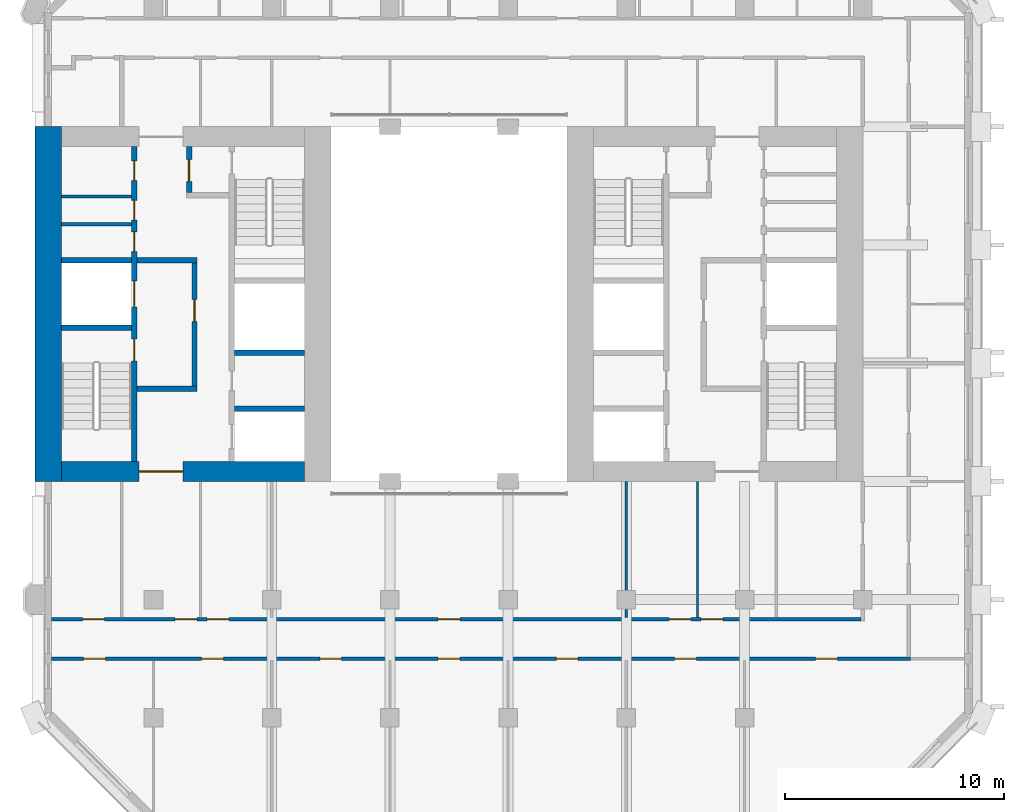
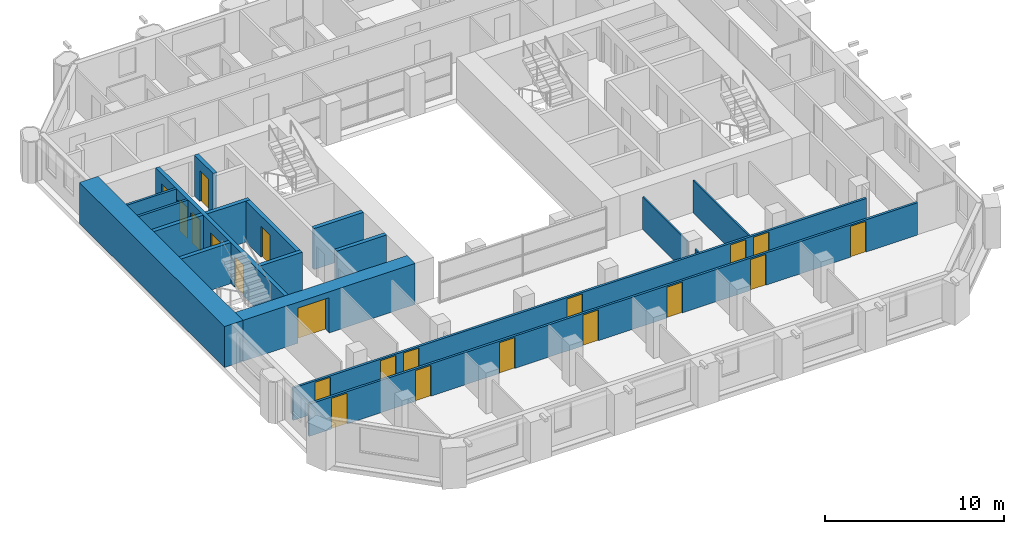
# One storey, part 6 of 12: 21 doors, 18 walls, 21 openings.
"""IFC4 building model written with IfcOpenShell, lengths in metres."""

from ifc_helpers import new_model, si_unit, direction, frame, frame_2d, origin, place, context, subcontext, project, spatial, rectangle, extrude, material, layer, layer_set, type_object, element, fill, save


model = new_model("IFC4")

# Units and contexts
model_context = context("Model", 3, precision=1e-05, world=origin(), true_north=direction((0.0, 1.0)))
body_context = subcontext(model_context, "Body", "Model", "MODEL_VIEW")
ifc_project = project(units=[si_unit("LENGTHUNIT", "METRE"), si_unit("AREAUNIT", "SQUARE_METRE"), si_unit("VOLUMEUNIT", "CUBIC_METRE"), si_unit("PLANEANGLEUNIT", "RADIAN"), si_unit("MASSUNIT", "GRAM", prefix="KILO")], contexts=[model_context])

# Site, building, storey
site_placement = place(None, origin())
site = spatial("IfcSite", under=ifc_project, at=site_placement, CompositionType="ELEMENT")
building_placement = place(site_placement, origin())
building = spatial("IfcBuilding", under=site, at=building_placement, Name="Tabaq Tower and Sports Hall", CompositionType="ELEMENT")
storey_placement = place(building_placement, frame((0.0, 0.0, 172.60009765625)))
storey = spatial("IfcBuildingStorey", under=building, at=storey_placement, Name="L41", CompositionType="ELEMENT", Elevation=172.60009765625)

# Walls
ifc_material_1 = material(Name="Blockwork", Category="masonry")
ifc_layer_1 = layer(ifc_material_1, 0.14990234375)
ifc_layer_set_1 = layer_set([ifc_layer_1], Name="Core room partition 150 Blockwork")
wall_type_1 = type_object("IfcWallType", Name="Core room partition 150 Blockwork", PredefinedType="PARTITIONING", material=ifc_layer_set_1)
for number, where, z_axis, x_axis, name in (
    (1, (6.60009765625, 27.947998046875, 0.0), (0.0, 0.0, 1.0), (1.0, 0.0, 0.0), "Core room partition W L41"),
    (2, (6.60009765625, 29.217041015625, 0.0), (0.0, 0.0, 1.0), (1.0, 0.0, 0.0), "Core room partition W L41"),
):
    element("IfcWall", number, at=place(storey_placement, frame(where, z_axis=z_axis, x_axis=x_axis)), inside=storey, type_object=wall_type_1, Name=name, PredefinedType="PARTITIONING", context=body_context, shape_type="SweptSolid", body=[
        extrude(rectangle(XDim=3.199951171875, YDim=0.14990234375, at=frame_2d((1.60009765625, 0.0))), origin(), (0.0, 0.0, 1.0), 2.7998046875),
    ])
ifc_material_2 = material(Name="Concrete C50/60", Category="concrete")
ifc_layer_2 = layer(ifc_material_2, 1.199951171875)
ifc_layer_set_2 = layer_set([ifc_layer_2], Name="Core wall 1200 Concrete C50/60")
wall_type_2 = type_object("IfcWallType", Name="Core wall 1200 Concrete C50/60", PredefinedType="SOLIDWALL", material=ifc_layer_set_2)
wall_1_placement = place(storey_placement, frame((6.0, 16.199951171875, 0.0), z_axis=(0.0, 0.0, 1.0), x_axis=(0.0, 1.0, 0.0)))
element("IfcWall", 3, at=wall_1_placement, inside=storey, type_object=wall_type_2, Name="Core wall W L41", PredefinedType="SOLIDWALL", context=body_context, shape_type="SweptSolid", body=[
    extrude(rectangle(XDim=16.199951171875, YDim=1.199951171875, at=frame_2d((8.10009765625, 0.0))), origin(), (0.0, 0.0, 1.0), 2.7998046875),
])

# Wall, opening, door
ifc_material_3 = material(Name="Concrete C50/60", Category="concrete")
ifc_layer_3 = layer(ifc_material_3, 0.89990234375)
ifc_layer_set_3 = layer_set([ifc_layer_3], Name="Core wall 900 Concrete C50/60")
wall_type_3 = type_object("IfcWallType", Name="Core wall 900 Concrete C50/60", PredefinedType="SOLIDWALL", material=ifc_layer_set_3)
wall_2_placement = place(storey_placement, frame((17.699951171875, 16.64990234375, 0.0), z_axis=(0.0, 0.0, 1.0), x_axis=(-1.0, 0.0, 0.0)))
wall_2 = element("IfcWall", 4, at=wall_2_placement, inside=storey, type_object=wall_type_3, Name="Core wall W L41", PredefinedType="SOLIDWALL", context=body_context, shape_type="SweptSolid", body=[
    extrude(rectangle(XDim=11.099853515625, YDim=0.89990234375, at=frame_2d((5.5498046875, 0.0))), origin(), (0.0, 0.0, 1.0), 2.7998046875),
])
opening_1_placement = place(wall_2_placement, frame((5.550048828125, 0.0, 0.0)))
opening_1 = element("IfcOpeningElement", 5, at=opening_1_placement, cuts=wall_2, Name="Opening PD-WL41-01", PredefinedType="OPENING", context=body_context, shape_type="SweptSolid", body=[
    extrude(rectangle(XDim=2.0, YDim=2.39990234375, at=frame_2d((1.0, 1.199951171875))), frame((0.0, 0.449951171875, 0.0), z_axis=(0.0, -1.0, 0.0), x_axis=(1.0, 0.0, 0.0)), (0.0, 0.0, 1.0), 0.89990234375),
])
ifc_material_4 = material(Name="Steel fire door", Category="steel")
door_type_1 = type_object("IfcDoorType", Name="Core entrance door 2000", OperationType="DOUBLE_DOOR_SINGLE_SWING", PredefinedType="DOOR", material=ifc_material_4)
door_1_placement = place(opening_1_placement, origin())
door_1 = element("IfcDoor", 6, at=door_1_placement, inside=storey, type_object=door_type_1, Name="Core entrance south W L41", OperationType="DOUBLE_DOOR_SINGLE_SWING", OverallHeight=2.39990234375, OverallWidth=2.0, PredefinedType="DOOR", context=body_context, shape_type="SweptSolid", body=[
    extrude(rectangle(XDim=2.0, YDim=2.39990234375, at=frame_2d((1.0, 1.199951171875))), frame((0.0, 0.02490234375, 0.0), z_axis=(0.0, -1.0, 0.0), x_axis=(1.0, 0.0, 0.0)), (0.0, 0.0, 1.0), 0.050048828125),
])
fill(opening_1, door_1)

# Walls
ifc_material_5 = material(Name="Gypsum board on steel studs", Category="steel")
ifc_layer_4 = layer(ifc_material_5, 0.10009765625)
ifc_layer_set_4 = layer_set([ifc_layer_4], Name="Partition 100 Gypsum board")
wall_type_4 = type_object("IfcWallType", Name="Partition 100 Gypsum board", PredefinedType="PARTITIONING", material=ifc_layer_set_4)
wall_3_placement = place(storey_placement, frame((32.39990234375, 9.97509765625, 0.0), z_axis=(0.0, 0.0, 1.0), x_axis=(0.0, 1.0, 0.0)))
element("IfcWall", 7, at=wall_3_placement, inside=storey, type_object=wall_type_4, Name="Partition wall L41", PredefinedType="PARTITIONING", context=body_context, shape_type="SweptSolid", body=[
    extrude(rectangle(XDim=0.3798828125, YDim=0.10009765625, at=frame_2d((0.18994140625, 0.0))), origin(), (0.0, 0.0, 1.0), 2.199951171875),
])
wall_4_placement = place(storey_placement, frame((32.39990234375, 11.2451171875, 0.0), z_axis=(0.0, 0.0, 1.0), x_axis=(0.0, 1.0, 0.0)))
element("IfcWall", 8, at=wall_4_placement, inside=storey, type_object=wall_type_4, Name="Partition wall L41", PredefinedType="PARTITIONING", context=body_context, shape_type="SweptSolid", body=[
    extrude(rectangle(XDim=4.954833984375, YDim=0.10009765625, at=frame_2d((2.4775390625, 0.0))), origin(), (0.0, 0.0, 1.0), 2.199951171875),
])
wall_5_placement = place(storey_placement, frame((35.64990234375, 16.199951171875, 0.0), z_axis=(0.0, 0.0, 1.0), x_axis=(0.0, -1.0, 0.0)))
element("IfcWall", 9, at=wall_5_placement, inside=storey, type_object=wall_type_4, Name="Partition wall L41", PredefinedType="PARTITIONING", context=body_context, shape_type="SweptSolid", body=[
    extrude(rectangle(XDim=6.224853515625, YDim=0.10009765625, at=frame_2d((3.1123046875, 0.0))), origin(), (0.0, 0.0, 1.0), 2.199951171875),
])

# Wall, openings, doors
ifc_material_6 = material(Name="Blockwork", Category="masonry")
ifc_layer_5 = layer(ifc_material_6, 0.14990234375)
ifc_layer_set_5 = layer_set([ifc_layer_5], Name="Separating wall 150 Blockwork")
wall_type_5 = type_object("IfcWallType", Name="Separating wall 150 Blockwork", PredefinedType="PARTITIONING", material=ifc_layer_set_5)
wall_6_placement = place(storey_placement, frame((45.375, 8.10009765625, 0.0), z_axis=(0.0, 0.0, 1.0), x_axis=(-1.0, 0.0, 0.0)))
wall_6 = element("IfcWall", 10, at=wall_6_placement, inside=storey, type_object=wall_type_5, Name="Separating wall L41", PredefinedType="PARTITIONING", context=body_context, shape_type="SweptSolid", body=[
    extrude(rectangle(XDim=39.22412109375, YDim=0.14990234375, at=frame_2d((19.612060546875, 0.0))), origin(), (0.0, 0.0, 1.0), 2.199951171875),
])
opening_2_placement = place(wall_6_placement, frame((36.77490234375, 0.0, 0.0)))
opening_2 = element("IfcOpeningElement", 11, at=opening_2_placement, cuts=wall_6, Name="Opening L41-015", PredefinedType="OPENING", context=body_context, shape_type="SweptSolid", body=[
    extrude(rectangle(XDim=1.0, YDim=2.10009765625, at=frame_2d((0.5, 1.050048828125))), frame((0.0, 0.074951171875, 0.0), z_axis=(0.0, -1.0, 0.0), x_axis=(1.0, 0.0, 0.0)), (0.0, 0.0, 1.0), 0.14990234375),
])
opening_3_placement = place(wall_6_placement, frame((31.375, 0.0, 0.0)))
opening_3 = element("IfcOpeningElement", 12, at=opening_3_placement, cuts=wall_6, Name="Opening L41-016", PredefinedType="OPENING", context=body_context, shape_type="SweptSolid", body=[
    extrude(rectangle(XDim=1.0, YDim=2.10009765625, at=frame_2d((0.5, 1.050048828125))), frame((0.0, 0.074951171875, 0.0), z_axis=(0.0, -1.0, 0.0), x_axis=(1.0, 0.0, 0.0)), (0.0, 0.0, 1.0), 0.14990234375),
])
opening_4_placement = place(wall_6_placement, frame((25.97509765625, 0.0, 0.0)))
opening_4 = element("IfcOpeningElement", 13, at=opening_4_placement, cuts=wall_6, Name="Opening L41-017", PredefinedType="OPENING", context=body_context, shape_type="SweptSolid", body=[
    extrude(rectangle(XDim=1.0, YDim=2.10009765625, at=frame_2d((0.5, 1.050048828125))), frame((0.0, 0.074951171875, 0.0), z_axis=(0.0, -1.0, 0.0), x_axis=(1.0, 0.0, 0.0)), (0.0, 0.0, 1.0), 0.14990234375),
])
opening_5_placement = place(wall_6_placement, frame((20.574951171875, 0.0, 0.0)))
opening_5 = element("IfcOpeningElement", 14, at=opening_5_placement, cuts=wall_6, Name="Opening L41-018", PredefinedType="OPENING", context=body_context, shape_type="SweptSolid", body=[
    extrude(rectangle(XDim=1.0, YDim=2.10009765625, at=frame_2d((0.5, 1.050048828125))), frame((0.0, 0.074951171875, 0.0), z_axis=(0.0, -1.0, 0.0), x_axis=(1.0, 0.0, 0.0)), (0.0, 0.0, 1.0), 0.14990234375),
])
opening_6_placement = place(wall_6_placement, frame((15.175048828125, 0.0, 0.0)))
opening_6 = element("IfcOpeningElement", 15, at=opening_6_placement, cuts=wall_6, Name="Opening L41-019", PredefinedType="OPENING", context=body_context, shape_type="SweptSolid", body=[
    extrude(rectangle(XDim=1.0, YDim=2.10009765625, at=frame_2d((0.5, 1.050048828125))), frame((0.0, 0.074951171875, 0.0), z_axis=(0.0, -1.0, 0.0), x_axis=(1.0, 0.0, 0.0)), (0.0, 0.0, 1.0), 0.14990234375),
])
opening_7_placement = place(wall_6_placement, frame((9.77490234375, 0.0, 0.0)))
opening_7 = element("IfcOpeningElement", 16, at=opening_7_placement, cuts=wall_6, Name="Opening L41-020", PredefinedType="OPENING", context=body_context, shape_type="SweptSolid", body=[
    extrude(rectangle(XDim=1.0, YDim=2.10009765625, at=frame_2d((0.5, 1.050048828125))), frame((0.0, 0.074951171875, 0.0), z_axis=(0.0, -1.0, 0.0), x_axis=(1.0, 0.0, 0.0)), (0.0, 0.0, 1.0), 0.14990234375),
])
opening_8_placement = place(wall_6_placement, frame((3.324951171875, 0.0, 0.0)))
opening_8 = element("IfcOpeningElement", 17, at=opening_8_placement, cuts=wall_6, Name="Opening L41-021", PredefinedType="OPENING", context=body_context, shape_type="SweptSolid", body=[
    extrude(rectangle(XDim=1.0, YDim=2.10009765625, at=frame_2d((0.5, 1.050048828125))), frame((0.0, 0.074951171875, 0.0), z_axis=(0.0, -1.0, 0.0), x_axis=(1.0, 0.0, 0.0)), (0.0, 0.0, 1.0), 0.14990234375),
])
ifc_material_7 = material(Name="Timber leaf in steel frame", Category="steel")
door_type_2 = type_object("IfcDoorType", Name="Internal door 1000 left hand", OperationType="SINGLE_SWING_LEFT", PredefinedType="DOOR", material=ifc_material_7)
door_2_placement = place(opening_3_placement, origin())
door_2 = element("IfcDoor", 18, at=door_2_placement, inside=storey, type_object=door_type_2, Name="Internal door L41-016", OperationType="SINGLE_SWING_LEFT", OverallHeight=2.10009765625, OverallWidth=1.0, PredefinedType="DOOR", context=body_context, shape_type="SweptSolid", body=[
    extrude(rectangle(XDim=1.0, YDim=2.10009765625, at=frame_2d((0.5, 1.050048828125))), frame((0.0, 0.02490234375, 0.0), z_axis=(0.0, -1.0, 0.0), x_axis=(1.0, 0.0, 0.0)), (0.0, 0.0, 1.0), 0.050048828125),
])
fill(opening_3, door_2)
door_3_placement = place(opening_4_placement, origin())
door_3 = element("IfcDoor", 19, at=door_3_placement, inside=storey, type_object=door_type_2, Name="Internal door L41-017", OperationType="SINGLE_SWING_LEFT", OverallHeight=2.10009765625, OverallWidth=1.0, PredefinedType="DOOR", context=body_context, shape_type="SweptSolid", body=[
    extrude(rectangle(XDim=1.0, YDim=2.10009765625, at=frame_2d((0.5, 1.050048828125))), frame((0.0, 0.02490234375, 0.0), z_axis=(0.0, -1.0, 0.0), x_axis=(1.0, 0.0, 0.0)), (0.0, 0.0, 1.0), 0.050048828125),
])
fill(opening_4, door_3)
door_4_placement = place(opening_7_placement, origin())
door_4 = element("IfcDoor", 20, at=door_4_placement, inside=storey, type_object=door_type_2, Name="Internal door L41-020", OperationType="SINGLE_SWING_LEFT", OverallHeight=2.10009765625, OverallWidth=1.0, PredefinedType="DOOR", context=body_context, shape_type="SweptSolid", body=[
    extrude(rectangle(XDim=1.0, YDim=2.10009765625, at=frame_2d((0.5, 1.050048828125))), frame((0.0, 0.02490234375, 0.0), z_axis=(0.0, -1.0, 0.0), x_axis=(1.0, 0.0, 0.0)), (0.0, 0.0, 1.0), 0.050048828125),
])
fill(opening_7, door_4)
door_5_placement = place(opening_8_placement, origin())
door_5 = element("IfcDoor", 21, at=door_5_placement, inside=storey, type_object=door_type_2, Name="Internal door L41-021", OperationType="SINGLE_SWING_LEFT", OverallHeight=2.10009765625, OverallWidth=1.0, PredefinedType="DOOR", context=body_context, shape_type="SweptSolid", body=[
    extrude(rectangle(XDim=1.0, YDim=2.10009765625, at=frame_2d((0.5, 1.050048828125))), frame((0.0, 0.02490234375, 0.0), z_axis=(0.0, -1.0, 0.0), x_axis=(1.0, 0.0, 0.0)), (0.0, 0.0, 1.0), 0.050048828125),
])
fill(opening_8, door_5)
ifc_material_8 = material(Name="Timber leaf in steel frame", Category="steel")
door_type_3 = type_object("IfcDoorType", Name="Internal door 1000 right hand", OperationType="SINGLE_SWING_RIGHT", PredefinedType="DOOR", material=ifc_material_8)
door_6_placement = place(opening_2_placement, origin())
door_6 = element("IfcDoor", 22, at=door_6_placement, inside=storey, type_object=door_type_3, Name="Internal door L41-015", OperationType="SINGLE_SWING_RIGHT", OverallHeight=2.10009765625, OverallWidth=1.0, PredefinedType="DOOR", context=body_context, shape_type="SweptSolid", body=[
    extrude(rectangle(XDim=1.0, YDim=2.10009765625, at=frame_2d((0.5, 1.050048828125))), frame((0.0, 0.02490234375, 0.0), z_axis=(0.0, -1.0, 0.0), x_axis=(1.0, 0.0, 0.0)), (0.0, 0.0, 1.0), 0.050048828125),
])
fill(opening_2, door_6)
door_7_placement = place(opening_5_placement, origin())
door_7 = element("IfcDoor", 23, at=door_7_placement, inside=storey, type_object=door_type_3, Name="Internal door L41-018", OperationType="SINGLE_SWING_RIGHT", OverallHeight=2.10009765625, OverallWidth=1.0, PredefinedType="DOOR", context=body_context, shape_type="SweptSolid", body=[
    extrude(rectangle(XDim=1.0, YDim=2.10009765625, at=frame_2d((0.5, 1.050048828125))), frame((0.0, 0.02490234375, 0.0), z_axis=(0.0, -1.0, 0.0), x_axis=(1.0, 0.0, 0.0)), (0.0, 0.0, 1.0), 0.050048828125),
])
fill(opening_5, door_7)
door_8_placement = place(opening_6_placement, origin())
door_8 = element("IfcDoor", 24, at=door_8_placement, inside=storey, type_object=door_type_3, Name="Internal door L41-019", OperationType="SINGLE_SWING_RIGHT", OverallHeight=2.10009765625, OverallWidth=1.0, PredefinedType="DOOR", context=body_context, shape_type="SweptSolid", body=[
    extrude(rectangle(XDim=1.0, YDim=2.10009765625, at=frame_2d((0.5, 1.050048828125))), frame((0.0, 0.02490234375, 0.0), z_axis=(0.0, -1.0, 0.0), x_axis=(1.0, 0.0, 0.0)), (0.0, 0.0, 1.0), 0.050048828125),
])
fill(opening_6, door_8)

wall_7_placement = place(storey_placement, frame((6.15087890625, 9.89990234375, 0.0), z_axis=(0.0, 0.0, 1.0), x_axis=(1.0, 0.0, 0.0)))
wall_7 = element("IfcWall", 25, at=wall_7_placement, inside=storey, type_object=wall_type_5, Name="Separating wall L41", PredefinedType="PARTITIONING", context=body_context, shape_type="SweptSolid", body=[
    extrude(rectangle(XDim=36.97412109375, YDim=0.14990234375, at=frame_2d((18.487060546875, 0.0))), origin(), (0.0, 0.0, 1.0), 2.199951171875),
])
opening_9_placement = place(wall_7_placement, frame((17.64892578125, 0.0, 0.0)))
opening_9 = element("IfcOpeningElement", 26, at=opening_9_placement, cuts=wall_7, Name="Opening L41-022", PredefinedType="OPENING", context=body_context, shape_type="SweptSolid", body=[
    extrude(rectangle(XDim=1.0, YDim=2.10009765625, at=frame_2d((0.5, 1.050048828125))), frame((0.0, 0.074951171875, 0.0), z_axis=(0.0, -1.0, 0.0), x_axis=(1.0, 0.0, 0.0)), (0.0, 0.0, 1.0), 0.14990234375),
])
opening_10_placement = place(wall_7_placement, frame((1.408935546875, 0.0, 0.0)))
opening_10 = element("IfcOpeningElement", 27, at=opening_10_placement, cuts=wall_7, Name="Opening L41-024", PredefinedType="OPENING", context=body_context, shape_type="SweptSolid", body=[
    extrude(rectangle(XDim=1.0, YDim=2.10009765625, at=frame_2d((0.5, 1.050048828125))), frame((0.0, 0.074951171875, 0.0), z_axis=(0.0, -1.0, 0.0), x_axis=(1.0, 0.0, 0.0)), (0.0, 0.0, 1.0), 0.14990234375),
])
opening_11_placement = place(wall_7_placement, frame((28.198974609375, 0.0, 0.0)))
opening_11 = element("IfcOpeningElement", 28, at=opening_11_placement, cuts=wall_7, Name="Opening L41-025", PredefinedType="OPENING", context=body_context, shape_type="SweptSolid", body=[
    extrude(rectangle(XDim=1.0, YDim=2.10009765625, at=frame_2d((0.5, 1.050048828125))), frame((0.0, 0.074951171875, 0.0), z_axis=(0.0, -1.0, 0.0), x_axis=(1.0, 0.0, 0.0)), (0.0, 0.0, 1.0), 0.14990234375),
])
opening_12_placement = place(wall_7_placement, frame((7.09912109375, 0.0, 0.0)))
opening_12 = element("IfcOpeningElement", 29, at=opening_12_placement, cuts=wall_7, Name="Opening L41-027", PredefinedType="OPENING", context=body_context, shape_type="SweptSolid", body=[
    extrude(rectangle(XDim=1.0, YDim=2.10009765625, at=frame_2d((0.5, 1.050048828125))), frame((0.0, 0.074951171875, 0.0), z_axis=(0.0, -1.0, 0.0), x_axis=(1.0, 0.0, 0.0)), (0.0, 0.0, 1.0), 0.14990234375),
])
opening_13_placement = place(wall_7_placement, frame((5.62890625, 0.0, 0.0)))
opening_13 = element("IfcOpeningElement", 30, at=opening_13_placement, cuts=wall_7, Name="Opening L41-039", PredefinedType="OPENING", context=body_context, shape_type="SweptSolid", body=[
    extrude(rectangle(XDim=1.0, YDim=2.10009765625, at=frame_2d((0.5, 1.050048828125))), frame((0.0, 0.074951171875, 0.0), z_axis=(0.0, -1.0, 0.0), x_axis=(1.0, 0.0, 0.0)), (0.0, 0.0, 1.0), 0.14990234375),
])
opening_14_placement = place(wall_7_placement, frame((29.6689453125, 0.0, 0.0)))
opening_14 = element("IfcOpeningElement", 31, at=opening_14_placement, cuts=wall_7, Name="Opening L41-040", PredefinedType="OPENING", context=body_context, shape_type="SweptSolid", body=[
    extrude(rectangle(XDim=1.0, YDim=2.10009765625, at=frame_2d((0.5, 1.050048828125))), frame((0.0, 0.074951171875, 0.0), z_axis=(0.0, -1.0, 0.0), x_axis=(1.0, 0.0, 0.0)), (0.0, 0.0, 1.0), 0.14990234375),
])
door_9_placement = place(opening_10_placement, origin())
door_9 = element("IfcDoor", 32, at=door_9_placement, inside=storey, type_object=door_type_2, Name="Internal door L41-024", OperationType="SINGLE_SWING_LEFT", OverallHeight=2.10009765625, OverallWidth=1.0, PredefinedType="DOOR", context=body_context, shape_type="SweptSolid", body=[
    extrude(rectangle(XDim=1.0, YDim=2.10009765625, at=frame_2d((0.5, 1.050048828125))), frame((0.0, 0.02490234375, 0.0), z_axis=(0.0, -1.0, 0.0), x_axis=(1.0, 0.0, 0.0)), (0.0, 0.0, 1.0), 0.050048828125),
])
fill(opening_10, door_9)
door_10_placement = place(opening_11_placement, origin())
door_10 = element("IfcDoor", 33, at=door_10_placement, inside=storey, type_object=door_type_2, Name="Internal door L41-025", OperationType="SINGLE_SWING_LEFT", OverallHeight=2.10009765625, OverallWidth=1.0, PredefinedType="DOOR", context=body_context, shape_type="SweptSolid", body=[
    extrude(rectangle(XDim=1.0, YDim=2.10009765625, at=frame_2d((0.5, 1.050048828125))), frame((0.0, 0.02490234375, 0.0), z_axis=(0.0, -1.0, 0.0), x_axis=(1.0, 0.0, 0.0)), (0.0, 0.0, 1.0), 0.050048828125),
])
fill(opening_11, door_10)
door_11_placement = place(opening_13_placement, origin())
door_11 = element("IfcDoor", 34, at=door_11_placement, inside=storey, type_object=door_type_2, Name="Internal door L41-039", OperationType="SINGLE_SWING_LEFT", OverallHeight=2.10009765625, OverallWidth=1.0, PredefinedType="DOOR", context=body_context, shape_type="SweptSolid", body=[
    extrude(rectangle(XDim=1.0, YDim=2.10009765625, at=frame_2d((0.5, 1.050048828125))), frame((0.0, 0.02490234375, 0.0), z_axis=(0.0, -1.0, 0.0), x_axis=(1.0, 0.0, 0.0)), (0.0, 0.0, 1.0), 0.050048828125),
])
fill(opening_13, door_11)
door_12_placement = place(opening_14_placement, origin())
door_12 = element("IfcDoor", 35, at=door_12_placement, inside=storey, type_object=door_type_2, Name="Internal door L41-040", OperationType="SINGLE_SWING_LEFT", OverallHeight=2.10009765625, OverallWidth=1.0, PredefinedType="DOOR", context=body_context, shape_type="SweptSolid", body=[
    extrude(rectangle(XDim=1.0, YDim=2.10009765625, at=frame_2d((0.5, 1.050048828125))), frame((0.0, 0.02490234375, 0.0), z_axis=(0.0, -1.0, 0.0), x_axis=(1.0, 0.0, 0.0)), (0.0, 0.0, 1.0), 0.050048828125),
])
fill(opening_14, door_12)
door_13_placement = place(opening_9_placement, origin())
door_13 = element("IfcDoor", 36, at=door_13_placement, inside=storey, type_object=door_type_3, Name="Internal door L41-022", OperationType="SINGLE_SWING_RIGHT", OverallHeight=2.10009765625, OverallWidth=1.0, PredefinedType="DOOR", context=body_context, shape_type="SweptSolid", body=[
    extrude(rectangle(XDim=1.0, YDim=2.10009765625, at=frame_2d((0.5, 1.050048828125))), frame((0.0, 0.02490234375, 0.0), z_axis=(0.0, -1.0, 0.0), x_axis=(1.0, 0.0, 0.0)), (0.0, 0.0, 1.0), 0.050048828125),
])
fill(opening_9, door_13)
door_14_placement = place(opening_12_placement, origin())
door_14 = element("IfcDoor", 37, at=door_14_placement, inside=storey, type_object=door_type_3, Name="Internal door L41-027", OperationType="SINGLE_SWING_RIGHT", OverallHeight=2.10009765625, OverallWidth=1.0, PredefinedType="DOOR", context=body_context, shape_type="SweptSolid", body=[
    extrude(rectangle(XDim=1.0, YDim=2.10009765625, at=frame_2d((0.5, 1.050048828125))), frame((0.0, 0.02490234375, 0.0), z_axis=(0.0, -1.0, 0.0), x_axis=(1.0, 0.0, 0.0)), (0.0, 0.0, 1.0), 0.050048828125),
])
fill(opening_12, door_14)

ifc_material_9 = material(Name="Concrete C40/50", Category="concrete")
ifc_layer_6 = layer(ifc_material_9, 0.25)
ifc_layer_set_6 = layer_set([ifc_layer_6], Name="Shaft and stair wall 250 Concrete C40/50")
wall_type_6 = type_object("IfcWallType", Name="Shaft and stair wall 250 Concrete C40/50", PredefinedType="SOLIDWALL", material=ifc_layer_set_6)
wall_8_placement = place(storey_placement, frame((9.925048828125, 17.10009765625, 0.0), z_axis=(0.0, 0.0, 1.0), x_axis=(0.0, 1.0, 0.0)))
wall_8 = element("IfcWall", 38, at=wall_8_placement, inside=storey, type_object=wall_type_6, Name="Shaft wall W L41", PredefinedType="SOLIDWALL", context=body_context, shape_type="SweptSolid", body=[
    extrude(rectangle(XDim=14.39990234375, YDim=0.25, at=frame_2d((7.199951171875, 0.0))), origin(), (0.0, 0.0, 1.0), 2.7998046875),
])
opening_15_placement = place(wall_8_placement, frame((4.60009765625, 0.0, 0.0)))
opening_15 = element("IfcOpeningElement", 39, at=opening_15_placement, cuts=wall_8, Name="Opening SD-WL41-03", PredefinedType="OPENING", context=body_context, shape_type="SweptSolid", body=[
    extrude(rectangle(XDim=1.0, YDim=2.10009765625, at=frame_2d((0.5, 1.050048828125))), frame((0.0, 0.125, 0.0), z_axis=(0.0, -1.0, 0.0), x_axis=(1.0, 0.0, 0.0)), (0.0, 0.0, 1.0), 0.25),
])
opening_16_placement = place(wall_8_placement, frame((7.0625, 0.0, 0.0)))
opening_16 = element("IfcOpeningElement", 40, at=opening_16_placement, cuts=wall_8, Name="Opening LD-FF1-L41", PredefinedType="OPENING", context=body_context, shape_type="SweptSolid", body=[
    extrude(rectangle(XDim=1.199951171875, YDim=2.10009765625, at=frame_2d((0.60009765625, 1.050048828125))), frame((0.0, 0.125, 0.0), z_axis=(0.0, -1.0, 0.0), x_axis=(1.0, 0.0, 0.0)), (0.0, 0.0, 1.0), 0.25),
])
opening_17_placement = place(wall_8_placement, frame((9.59912109375, 0.0, 0.0)))
opening_17 = element("IfcOpeningElement", 41, at=opening_17_placement, cuts=wall_8, Name="Opening RD-WL41-09", PredefinedType="OPENING", context=body_context, shape_type="SweptSolid", body=[
    extrude(rectangle(XDim=0.89990234375, YDim=2.10009765625, at=frame_2d((0.449951171875, 1.050048828125))), frame((0.0, 0.125, 0.0), z_axis=(0.0, -1.0, 0.0), x_axis=(1.0, 0.0, 0.0)), (0.0, 0.0, 1.0), 0.25),
])
opening_18_placement = place(wall_8_placement, frame((11.032470703125, 0.0, 0.0)))
opening_18 = element("IfcOpeningElement", 42, at=opening_18_placement, cuts=wall_8, Name="Opening RD-WL41-10", PredefinedType="OPENING", context=body_context, shape_type="SweptSolid", body=[
    extrude(rectangle(XDim=0.89990234375, YDim=2.10009765625, at=frame_2d((0.449951171875, 1.050048828125))), frame((0.0, 0.125, 0.0), z_axis=(0.0, -1.0, 0.0), x_axis=(1.0, 0.0, 0.0)), (0.0, 0.0, 1.0), 0.25),
])
opening_19_placement = place(wall_8_placement, frame((12.845947265625, 0.0, 0.0)))
opening_19 = element("IfcOpeningElement", 43, at=opening_19_placement, cuts=wall_8, Name="Opening RD-WL41-11", PredefinedType="OPENING", context=body_context, shape_type="SweptSolid", body=[
    extrude(rectangle(XDim=0.89990234375, YDim=2.10009765625, at=frame_2d((0.449951171875, 1.050048828125))), frame((0.0, 0.125, 0.0), z_axis=(0.0, -1.0, 0.0), x_axis=(1.0, 0.0, 0.0)), (0.0, 0.0, 1.0), 0.25),
])
ifc_material_10 = material(Name="Steel fire door", Category="steel")
door_type_4 = type_object("IfcDoorType", Name="Core room door 900", OperationType="SINGLE_SWING_LEFT", PredefinedType="DOOR", material=ifc_material_10)
door_15_placement = place(opening_17_placement, origin())
door_15 = element("IfcDoor", 44, at=door_15_placement, inside=storey, type_object=door_type_4, Name="Door Accessible WC W L41", OperationType="SINGLE_SWING_LEFT", OverallHeight=2.10009765625, OverallWidth=0.89990234375, PredefinedType="DOOR", context=body_context, shape_type="SweptSolid", body=[
    extrude(rectangle(XDim=0.89990234375, YDim=2.10009765625, at=frame_2d((0.449951171875, 1.050048828125))), frame((0.0, 0.02490234375, 0.0), z_axis=(0.0, -1.0, 0.0), x_axis=(1.0, 0.0, 0.0)), (0.0, 0.0, 1.0), 0.050048828125),
])
fill(opening_17, door_15)
door_16_placement = place(opening_18_placement, origin())
door_16 = element("IfcDoor", 45, at=door_16_placement, inside=storey, type_object=door_type_4, Name="Door Electrical Riser Room W L41", OperationType="SINGLE_SWING_LEFT", OverallHeight=2.10009765625, OverallWidth=0.89990234375, PredefinedType="DOOR", context=body_context, shape_type="SweptSolid", body=[
    extrude(rectangle(XDim=0.89990234375, YDim=2.10009765625, at=frame_2d((0.449951171875, 1.050048828125))), frame((0.0, 0.02490234375, 0.0), z_axis=(0.0, -1.0, 0.0), x_axis=(1.0, 0.0, 0.0)), (0.0, 0.0, 1.0), 0.050048828125),
])
fill(opening_18, door_16)
door_17_placement = place(opening_19_placement, origin())
door_17 = element("IfcDoor", 46, at=door_17_placement, inside=storey, type_object=door_type_4, Name="Door Unisex WC W L41", OperationType="SINGLE_SWING_LEFT", OverallHeight=2.10009765625, OverallWidth=0.89990234375, PredefinedType="DOOR", context=body_context, shape_type="SweptSolid", body=[
    extrude(rectangle(XDim=0.89990234375, YDim=2.10009765625, at=frame_2d((0.449951171875, 1.050048828125))), frame((0.0, 0.02490234375, 0.0), z_axis=(0.0, -1.0, 0.0), x_axis=(1.0, 0.0, 0.0)), (0.0, 0.0, 1.0), 0.050048828125),
])
fill(opening_19, door_17)
ifc_material_11 = material(Name="Stainless steel", Category="steel")
door_type_5 = type_object("IfcDoorType", Name="Lift landing door 1200", OperationType="DOUBLE_DOOR_SLIDING", PredefinedType="DOOR", material=ifc_material_11)
door_18_placement = place(opening_16_placement, origin())
door_18 = element("IfcDoor", 47, at=door_18_placement, inside=storey, type_object=door_type_5, Name="Lift landing door FF1 W L41", OperationType="DOUBLE_DOOR_SLIDING", OverallHeight=2.10009765625, OverallWidth=1.199951171875, PredefinedType="DOOR", context=body_context, shape_type="SweptSolid", body=[
    extrude(rectangle(XDim=1.199951171875, YDim=2.10009765625, at=frame_2d((0.60009765625, 1.050048828125))), frame((0.0, 0.02490234375, 0.0), z_axis=(0.0, -1.0, 0.0), x_axis=(1.0, 0.0, 0.0)), (0.0, 0.0, 1.0), 0.050048828125),
])
fill(opening_16, door_18)
ifc_material_12 = material(Name="Steel fire door", Category="steel")
door_type_6 = type_object("IfcDoorType", Name="Stair door 1000", OperationType="SINGLE_SWING_LEFT", PredefinedType="DOOR", material=ifc_material_12)
door_19_placement = place(opening_15_placement, origin())
door_19 = element("IfcDoor", 48, at=door_19_placement, inside=storey, type_object=door_type_6, Name="Stair door ST1 W L41", OperationType="SINGLE_SWING_LEFT", OverallHeight=2.10009765625, OverallWidth=1.0, PredefinedType="DOOR", context=body_context, shape_type="SweptSolid", body=[
    extrude(rectangle(XDim=1.0, YDim=2.10009765625, at=frame_2d((0.5, 1.050048828125))), frame((0.0, 0.02490234375, 0.0), z_axis=(0.0, -1.0, 0.0), x_axis=(1.0, 0.0, 0.0)), (0.0, 0.0, 1.0), 0.050048828125),
])
fill(opening_15, door_19)

# Walls
for number, where, z_axis, x_axis, name in (
    (49, (6.60009765625, 23.22509765625, 0.0), (0.0, 0.0, 1.0), (1.0, 0.0, 0.0), "Stair enclosure wall W L41"),
    (50, (14.5, 22.074951171875, 0.0), (0.0, 0.0, 1.0), (1.0, 0.0, 0.0), "Shaft wall W L41"),
    (51, (6.60009765625, 26.300048828125, 0.0), (0.0, 0.0, 1.0), (1.0, 0.0, 0.0), "Shaft wall W L41"),
):
    element("IfcWall", number, at=place(storey_placement, frame(where, z_axis=z_axis, x_axis=x_axis)), inside=storey, type_object=wall_type_6, Name=name, PredefinedType="SOLIDWALL", context=body_context, shape_type="SweptSolid", body=[
        extrude(rectangle(XDim=3.199951171875, YDim=0.25, at=frame_2d((1.60009765625, 0.0))), origin(), (0.0, 0.0, 1.0), 2.7998046875),
    ])
for number, where, z_axis, x_axis, name in (
    (52, (10.050048828125, 26.300048828125, 0.0), (0.0, 0.0, 1.0), (1.0, 0.0, 0.0), "Fire-fighting lobby wall W L41"),
    (53, (10.050048828125, 20.425048828125, 0.0), (0.0, 0.0, 1.0), (1.0, 0.0, 0.0), "Fire-fighting lobby wall W L41"),
):
    element("IfcWall", number, at=place(storey_placement, frame(where, z_axis=z_axis, x_axis=x_axis)), inside=storey, type_object=wall_type_6, Name=name, PredefinedType="SOLIDWALL", context=body_context, shape_type="SweptSolid", body=[
        extrude(rectangle(XDim=2.75, YDim=0.25, at=frame_2d((1.375, 0.0))), origin(), (0.0, 0.0, 1.0), 2.7998046875),
    ])

# Wall, opening, door
wall_9_placement = place(storey_placement, frame((12.425048828125, 29.39990234375, 0.0), z_axis=(0.0, 0.0, 1.0), x_axis=(0.0, 1.0, 0.0)))
wall_9 = element("IfcWall", 54, at=wall_9_placement, inside=storey, type_object=wall_type_6, Name="Fire-fighting lobby wall W L41", PredefinedType="SOLIDWALL", context=body_context, shape_type="SweptSolid", body=[
    extrude(rectangle(XDim=2.10009765625, YDim=0.25, at=frame_2d((1.050048828125, 0.0))), origin(), (0.0, 0.0, 1.0), 2.7998046875),
])
opening_20_placement = place(wall_9_placement, frame((0.5, 0.0, 0.0)))
opening_20 = element("IfcOpeningElement", 55, at=opening_20_placement, cuts=wall_9, Name="Opening FD-WL41-06", PredefinedType="OPENING", context=body_context, shape_type="SweptSolid", body=[
    extrude(rectangle(XDim=1.0, YDim=2.10009765625, at=frame_2d((0.5, 1.050048828125))), frame((0.0, 0.125, 0.0), z_axis=(0.0, -1.0, 0.0), x_axis=(1.0, 0.0, 0.0)), (0.0, 0.0, 1.0), 0.25),
])
ifc_material_13 = material(Name="Steel fire door", Category="steel")
door_type_7 = type_object("IfcDoorType", Name="Fire-fighting lobby door 1000", OperationType="SINGLE_SWING_LEFT", PredefinedType="DOOR", material=ifc_material_13)
door_20_placement = place(opening_20_placement, origin())
door_20 = element("IfcDoor", 56, at=door_20_placement, inside=storey, type_object=door_type_7, Name="Stair lobby door W L41", OperationType="SINGLE_SWING_LEFT", OverallHeight=2.10009765625, OverallWidth=1.0, PredefinedType="DOOR", context=body_context, shape_type="SweptSolid", body=[
    extrude(rectangle(XDim=1.0, YDim=2.10009765625, at=frame_2d((0.5, 1.050048828125))), frame((0.0, 0.02490234375, 0.0), z_axis=(0.0, -1.0, 0.0), x_axis=(1.0, 0.0, 0.0)), (0.0, 0.0, 1.0), 0.050048828125),
])
fill(opening_20, door_20)

wall_10_placement = place(storey_placement, frame((12.675048828125, 20.550048828125, 0.0), z_axis=(0.0, 0.0, 1.0), x_axis=(0.0, 1.0, 0.0)))
wall_10 = element("IfcWall", 57, at=wall_10_placement, inside=storey, type_object=wall_type_6, Name="Fire-fighting lobby wall W L41", PredefinedType="SOLIDWALL", context=body_context, shape_type="SweptSolid", body=[
    extrude(rectangle(XDim=5.625, YDim=0.25, at=frame_2d((2.8125, 0.0))), origin(), (0.0, 0.0, 1.0), 2.7998046875),
])
opening_21_placement = place(wall_10_placement, frame((2.949951171875, 0.0, 0.0)))
opening_21 = element("IfcOpeningElement", 58, at=opening_21_placement, cuts=wall_10, Name="Opening FD-WL41-04", PredefinedType="OPENING", context=body_context, shape_type="SweptSolid", body=[
    extrude(rectangle(XDim=1.0, YDim=2.10009765625, at=frame_2d((0.5, 1.050048828125))), frame((0.0, 0.125, 0.0), z_axis=(0.0, -1.0, 0.0), x_axis=(1.0, 0.0, 0.0)), (0.0, 0.0, 1.0), 0.25),
])
door_21_placement = place(opening_21_placement, origin())
door_21 = element("IfcDoor", 59, at=door_21_placement, inside=storey, type_object=door_type_7, Name="Fire-fighting lobby door W L41", OperationType="SINGLE_SWING_LEFT", OverallHeight=2.10009765625, OverallWidth=1.0, PredefinedType="DOOR", context=body_context, shape_type="SweptSolid", body=[
    extrude(rectangle(XDim=1.0, YDim=2.10009765625, at=frame_2d((0.5, 1.050048828125))), frame((0.0, 0.02490234375, 0.0), z_axis=(0.0, -1.0, 0.0), x_axis=(1.0, 0.0, 0.0)), (0.0, 0.0, 1.0), 0.050048828125),
])
fill(opening_21, door_21)

# Wall
wall_11_placement = place(storey_placement, frame((14.5, 19.52490234375, 0.0), z_axis=(0.0, 0.0, 1.0), x_axis=(1.0, 0.0, 0.0)))
element("IfcWall", 60, at=wall_11_placement, inside=storey, type_object=wall_type_6, Name="Shaft wall W L41", PredefinedType="SOLIDWALL", context=body_context, shape_type="SweptSolid", body=[
    extrude(rectangle(XDim=3.199951171875, YDim=0.25, at=frame_2d((1.60009765625, 0.0))), origin(), (0.0, 0.0, 1.0), 2.7998046875),
])

save(model, "model.ifc")
